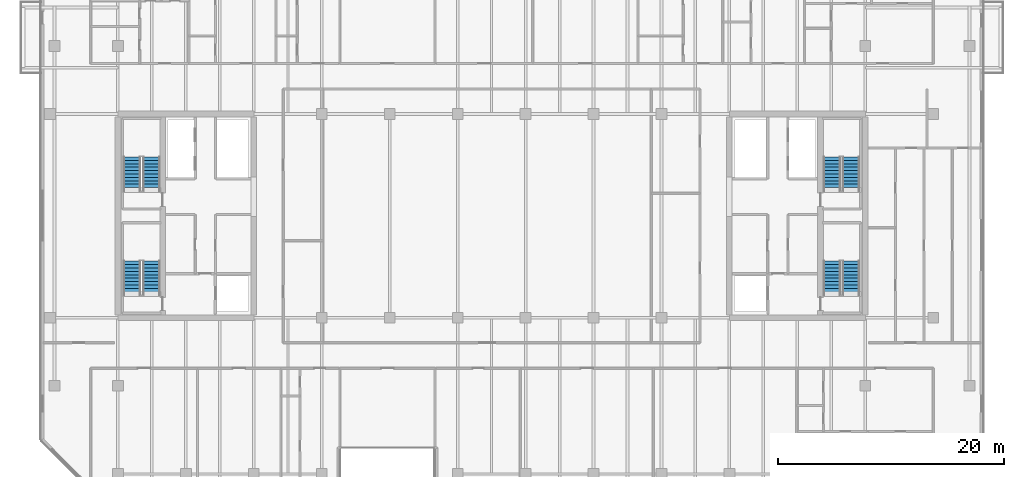
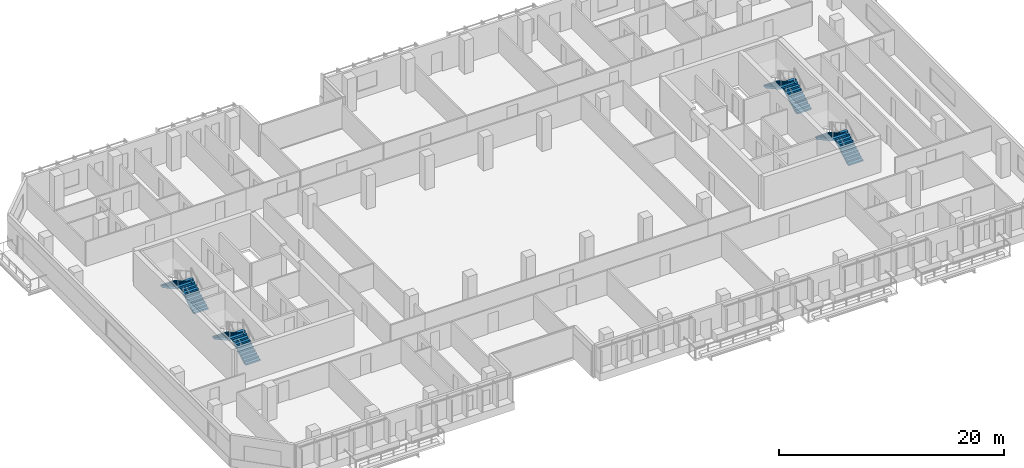
# One storey, part 16 of 22: 8 stair flights, 4 elements without a shape of their own.
"""IFC4 building model written with IfcOpenShell, lengths in metres."""

from ifc_helpers import new_model, si_unit, direction, frame, origin, place, context, subcontext, project, spatial, polyline, outline, extrude, material, type_object, element, aggregate, save


model = new_model("IFC4")

# Units and contexts
model_context = context("Model", 3, precision=1e-05, world=origin(), true_north=direction((0.0, 1.0)))
body_context = subcontext(model_context, "Body", "Model", "MODEL_VIEW")
ifc_project = project(units=[si_unit("LENGTHUNIT", "METRE"), si_unit("AREAUNIT", "SQUARE_METRE"), si_unit("VOLUMEUNIT", "CUBIC_METRE"), si_unit("PLANEANGLEUNIT", "RADIAN"), si_unit("MASSUNIT", "GRAM", prefix="KILO")], contexts=[model_context])

# Site, building, storey
site_placement = place(None, origin())
site = spatial("IfcSite", under=ifc_project, at=site_placement, CompositionType="ELEMENT")
building_placement = place(site_placement, origin())
building = spatial("IfcBuilding", under=site, at=building_placement, Name="Tanjung Sevakor Pilgrim Tower", CompositionType="ELEMENT")
storey_placement = place(building_placement, frame((0.0, 0.0, 115.830078125)))
storey = spatial("IfcBuildingStorey", under=building, at=storey_placement, Name="L32", CompositionType="ELEMENT", Elevation=115.830078125)

# Stair, stair flights
ifc_material_1 = material(Name="Concrete C40/50", Category="concrete")
stair_type = type_object("IfcStairType", Name="STAIR-ST-CR150", PredefinedType="HALF_TURN_STAIR", material=ifc_material_1)
stair_1_placement = place(storey_placement, origin())
stair_1 = element("IfcStair", 1, at=stair_1_placement, inside=storey, type_object=stair_type, Name="L32 West Core Exit Stair 1", PredefinedType="HALF_TURN_STAIR")
ifc_material_2 = material(Name="Concrete C40/50", Category="concrete")
stair_flight_type = type_object("IfcStairFlightType", Name="FLIGHT-ST-CR150", PredefinedType="STRAIGHT", material=ifc_material_2)
stair_flight_1_placement = place(storey_placement, frame((26.949951171875, 26.60009765625, 0.0), z_axis=(0.0, 0.0, 1.0), x_axis=(0.0, 1.0, 0.0)))
stair_flight_1 = element("IfcStairFlight", 2, at=stair_flight_1_placement, type_object=stair_flight_type, Name="TS-W1 flight 1", NumberOfRisers=11, NumberOfTreads=10, PredefinedType="STRAIGHT", RiserHeight=0.165, TreadLength=0.3, context=body_context, shape_type="SweptSolid", body=[
    extrude(outline(polyline([(0.0, 0.0), (0.0, 0.1650390625), (0.300048828125, 0.1650390625), (0.300048828125, 0.330078125), (0.60009765625, 0.330078125), (0.60009765625, 0.4951171875), (0.89990234375, 0.4951171875), (0.89990234375, 0.659912109375), (1.199951171875, 0.659912109375), (1.199951171875, 0.824951171875), (1.5, 0.824951171875), (1.5, 0.989990234375), (1.800048828125, 0.989990234375), (1.800048828125, 1.155029296875), (2.10009765625, 1.155029296875), (2.10009765625, 1.320068359375), (2.39990234375, 1.320068359375), (2.39990234375, 1.485107421875), (2.699951171875, 1.485107421875), (2.699951171875, 1.64990234375), (3.0, 1.64990234375), (3.0, 1.81494140625), (3.0, 1.467529296875), (0.331787109375, 0.0), (0.0, 0.0)])), frame((0.0, 0.75, 0.0), z_axis=(0.0, -1.0, 0.0), x_axis=(1.0, 0.0, 0.0)), (0.0, 0.0, 1.0), 1.5),
])
stair_flight_2_placement = place(storey_placement, frame((25.25, 29.60009765625, 1.81494140625), z_axis=(0.0, 0.0, 1.0), x_axis=(0.0, -1.0, 0.0)))
stair_flight_2 = element("IfcStairFlight", 3, at=stair_flight_2_placement, type_object=stair_flight_type, Name="TS-W1 flight 2", NumberOfRisers=11, NumberOfTreads=10, PredefinedType="STRAIGHT", RiserHeight=0.165, TreadLength=0.3, context=body_context, shape_type="SweptSolid", body=[
    extrude(outline(polyline([(0.0, 0.0), (0.0, 0.1650390625), (0.300048828125, 0.1650390625), (0.300048828125, 0.330078125), (0.60009765625, 0.330078125), (0.60009765625, 0.4951171875), (0.89990234375, 0.4951171875), (0.89990234375, 0.659912109375), (1.199951171875, 0.659912109375), (1.199951171875, 0.824951171875), (1.5, 0.824951171875), (1.5, 0.989990234375), (1.800048828125, 0.989990234375), (1.800048828125, 1.155029296875), (2.10009765625, 1.155029296875), (2.10009765625, 1.320068359375), (2.39990234375, 1.320068359375), (2.39990234375, 1.485107421875), (2.699951171875, 1.485107421875), (2.699951171875, 1.64990234375), (3.0, 1.64990234375), (3.0, 1.81494140625), (3.0, 1.467529296875), (0.331787109375, 0.0), (0.0, 0.0)])), frame((0.0, 0.75, 0.0), z_axis=(0.0, -1.0, 0.0), x_axis=(1.0, 0.0, 0.0)), (0.0, 0.0, 1.0), 1.5),
])
aggregate(stair_1, [stair_flight_1, stair_flight_2])

stair_2_placement = place(storey_placement, origin())
stair_2 = element("IfcStair", 4, at=stair_2_placement, inside=storey, type_object=stair_type, Name="L32 West Core Exit Stair 2", PredefinedType="HALF_TURN_STAIR")
stair_flight_3_placement = place(storey_placement, frame((26.949951171875, 35.800048828125, 0.0), z_axis=(0.0, 0.0, 1.0), x_axis=(0.0, 1.0, 0.0)))
stair_flight_3 = element("IfcStairFlight", 5, at=stair_flight_3_placement, type_object=stair_flight_type, Name="TS-W2 flight 1", NumberOfRisers=11, NumberOfTreads=10, PredefinedType="STRAIGHT", RiserHeight=0.165, TreadLength=0.3, context=body_context, shape_type="SweptSolid", body=[
    extrude(outline(polyline([(0.0, 0.0), (0.0, 0.1650390625), (0.300048828125, 0.1650390625), (0.300048828125, 0.330078125), (0.60009765625, 0.330078125), (0.60009765625, 0.4951171875), (0.89990234375, 0.4951171875), (0.89990234375, 0.659912109375), (1.199951171875, 0.659912109375), (1.199951171875, 0.824951171875), (1.5, 0.824951171875), (1.5, 0.989990234375), (1.800048828125, 0.989990234375), (1.800048828125, 1.155029296875), (2.10009765625, 1.155029296875), (2.10009765625, 1.320068359375), (2.39990234375, 1.320068359375), (2.39990234375, 1.485107421875), (2.699951171875, 1.485107421875), (2.699951171875, 1.64990234375), (3.0, 1.64990234375), (3.0, 1.81494140625), (3.0, 1.467529296875), (0.331787109375, 0.0), (0.0, 0.0)])), frame((0.0, 0.75, 0.0), z_axis=(0.0, -1.0, 0.0), x_axis=(1.0, 0.0, 0.0)), (0.0, 0.0, 1.0), 1.5),
])
stair_flight_4_placement = place(storey_placement, frame((25.25, 38.800048828125, 1.81494140625), z_axis=(0.0, 0.0, 1.0), x_axis=(0.0, -1.0, 0.0)))
stair_flight_4 = element("IfcStairFlight", 6, at=stair_flight_4_placement, type_object=stair_flight_type, Name="TS-W2 flight 2", NumberOfRisers=11, NumberOfTreads=10, PredefinedType="STRAIGHT", RiserHeight=0.165, TreadLength=0.3, context=body_context, shape_type="SweptSolid", body=[
    extrude(outline(polyline([(0.0, 0.0), (0.0, 0.1650390625), (0.300048828125, 0.1650390625), (0.300048828125, 0.330078125), (0.60009765625, 0.330078125), (0.60009765625, 0.4951171875), (0.89990234375, 0.4951171875), (0.89990234375, 0.659912109375), (1.199951171875, 0.659912109375), (1.199951171875, 0.824951171875), (1.5, 0.824951171875), (1.5, 0.989990234375), (1.800048828125, 0.989990234375), (1.800048828125, 1.155029296875), (2.10009765625, 1.155029296875), (2.10009765625, 1.320068359375), (2.39990234375, 1.320068359375), (2.39990234375, 1.485107421875), (2.699951171875, 1.485107421875), (2.699951171875, 1.64990234375), (3.0, 1.64990234375), (3.0, 1.81494140625), (3.0, 1.467529296875), (0.331787109375, 0.0), (0.0, 0.0)])), frame((0.0, 0.75, 0.0), z_axis=(0.0, -1.0, 0.0), x_axis=(1.0, 0.0, 0.0)), (0.0, 0.0, 1.0), 1.5),
])
aggregate(stair_2, [stair_flight_3, stair_flight_4])

stair_3_placement = place(storey_placement, origin())
stair_3 = element("IfcStair", 7, at=stair_3_placement, inside=storey, type_object=stair_type, Name="L32 East Core Exit Stair 1", PredefinedType="HALF_TURN_STAIR")
stair_flight_5_placement = place(storey_placement, frame((88.75, 26.60009765625, 0.0), z_axis=(0.0, 0.0, 1.0), x_axis=(0.0, 1.0, 0.0)))
stair_flight_5 = element("IfcStairFlight", 8, at=stair_flight_5_placement, type_object=stair_flight_type, Name="TS-E1 flight 1", NumberOfRisers=11, NumberOfTreads=10, PredefinedType="STRAIGHT", RiserHeight=0.165, TreadLength=0.3, context=body_context, shape_type="SweptSolid", body=[
    extrude(outline(polyline([(0.0, 0.0), (0.0, 0.1650390625), (0.300048828125, 0.1650390625), (0.300048828125, 0.330078125), (0.60009765625, 0.330078125), (0.60009765625, 0.4951171875), (0.89990234375, 0.4951171875), (0.89990234375, 0.659912109375), (1.199951171875, 0.659912109375), (1.199951171875, 0.824951171875), (1.5, 0.824951171875), (1.5, 0.989990234375), (1.800048828125, 0.989990234375), (1.800048828125, 1.155029296875), (2.10009765625, 1.155029296875), (2.10009765625, 1.320068359375), (2.39990234375, 1.320068359375), (2.39990234375, 1.485107421875), (2.699951171875, 1.485107421875), (2.699951171875, 1.64990234375), (3.0, 1.64990234375), (3.0, 1.81494140625), (3.0, 1.467529296875), (0.331787109375, 0.0), (0.0, 0.0)])), frame((0.0, 0.75, 0.0), z_axis=(0.0, -1.0, 0.0), x_axis=(1.0, 0.0, 0.0)), (0.0, 0.0, 1.0), 1.5),
])
stair_flight_6_placement = place(storey_placement, frame((87.050048828125, 29.60009765625, 1.81494140625), z_axis=(0.0, 0.0, 1.0), x_axis=(0.0, -1.0, 0.0)))
stair_flight_6 = element("IfcStairFlight", 9, at=stair_flight_6_placement, type_object=stair_flight_type, Name="TS-E1 flight 2", NumberOfRisers=11, NumberOfTreads=10, PredefinedType="STRAIGHT", RiserHeight=0.165, TreadLength=0.3, context=body_context, shape_type="SweptSolid", body=[
    extrude(outline(polyline([(0.0, 0.0), (0.0, 0.1650390625), (0.300048828125, 0.1650390625), (0.300048828125, 0.330078125), (0.60009765625, 0.330078125), (0.60009765625, 0.4951171875), (0.89990234375, 0.4951171875), (0.89990234375, 0.659912109375), (1.199951171875, 0.659912109375), (1.199951171875, 0.824951171875), (1.5, 0.824951171875), (1.5, 0.989990234375), (1.800048828125, 0.989990234375), (1.800048828125, 1.155029296875), (2.10009765625, 1.155029296875), (2.10009765625, 1.320068359375), (2.39990234375, 1.320068359375), (2.39990234375, 1.485107421875), (2.699951171875, 1.485107421875), (2.699951171875, 1.64990234375), (3.0, 1.64990234375), (3.0, 1.81494140625), (3.0, 1.467529296875), (0.331787109375, 0.0), (0.0, 0.0)])), frame((0.0, 0.75, 0.0), z_axis=(0.0, -1.0, 0.0), x_axis=(1.0, 0.0, 0.0)), (0.0, 0.0, 1.0), 1.5),
])
aggregate(stair_3, [stair_flight_5, stair_flight_6])

stair_4_placement = place(storey_placement, origin())
stair_4 = element("IfcStair", 10, at=stair_4_placement, inside=storey, type_object=stair_type, Name="L32 East Core Exit Stair 2", PredefinedType="HALF_TURN_STAIR")
stair_flight_7_placement = place(storey_placement, frame((88.75, 35.800048828125, 0.0), z_axis=(0.0, 0.0, 1.0), x_axis=(0.0, 1.0, 0.0)))
stair_flight_7 = element("IfcStairFlight", 11, at=stair_flight_7_placement, type_object=stair_flight_type, Name="TS-E2 flight 1", NumberOfRisers=11, NumberOfTreads=10, PredefinedType="STRAIGHT", RiserHeight=0.165, TreadLength=0.3, context=body_context, shape_type="SweptSolid", body=[
    extrude(outline(polyline([(0.0, 0.0), (0.0, 0.1650390625), (0.300048828125, 0.1650390625), (0.300048828125, 0.330078125), (0.60009765625, 0.330078125), (0.60009765625, 0.4951171875), (0.89990234375, 0.4951171875), (0.89990234375, 0.659912109375), (1.199951171875, 0.659912109375), (1.199951171875, 0.824951171875), (1.5, 0.824951171875), (1.5, 0.989990234375), (1.800048828125, 0.989990234375), (1.800048828125, 1.155029296875), (2.10009765625, 1.155029296875), (2.10009765625, 1.320068359375), (2.39990234375, 1.320068359375), (2.39990234375, 1.485107421875), (2.699951171875, 1.485107421875), (2.699951171875, 1.64990234375), (3.0, 1.64990234375), (3.0, 1.81494140625), (3.0, 1.467529296875), (0.331787109375, 0.0), (0.0, 0.0)])), frame((0.0, 0.75, 0.0), z_axis=(0.0, -1.0, 0.0), x_axis=(1.0, 0.0, 0.0)), (0.0, 0.0, 1.0), 1.5),
])
stair_flight_8_placement = place(storey_placement, frame((87.050048828125, 38.800048828125, 1.81494140625), z_axis=(0.0, 0.0, 1.0), x_axis=(0.0, -1.0, 0.0)))
stair_flight_8 = element("IfcStairFlight", 12, at=stair_flight_8_placement, type_object=stair_flight_type, Name="TS-E2 flight 2", NumberOfRisers=11, NumberOfTreads=10, PredefinedType="STRAIGHT", RiserHeight=0.165, TreadLength=0.3, context=body_context, shape_type="SweptSolid", body=[
    extrude(outline(polyline([(0.0, 0.0), (0.0, 0.1650390625), (0.300048828125, 0.1650390625), (0.300048828125, 0.330078125), (0.60009765625, 0.330078125), (0.60009765625, 0.4951171875), (0.89990234375, 0.4951171875), (0.89990234375, 0.659912109375), (1.199951171875, 0.659912109375), (1.199951171875, 0.824951171875), (1.5, 0.824951171875), (1.5, 0.989990234375), (1.800048828125, 0.989990234375), (1.800048828125, 1.155029296875), (2.10009765625, 1.155029296875), (2.10009765625, 1.320068359375), (2.39990234375, 1.320068359375), (2.39990234375, 1.485107421875), (2.699951171875, 1.485107421875), (2.699951171875, 1.64990234375), (3.0, 1.64990234375), (3.0, 1.81494140625), (3.0, 1.467529296875), (0.331787109375, 0.0), (0.0, 0.0)])), frame((0.0, 0.75, 0.0), z_axis=(0.0, -1.0, 0.0), x_axis=(1.0, 0.0, 0.0)), (0.0, 0.0, 1.0), 1.5),
])
aggregate(stair_4, [stair_flight_7, stair_flight_8])

save(model, "model.ifc")
